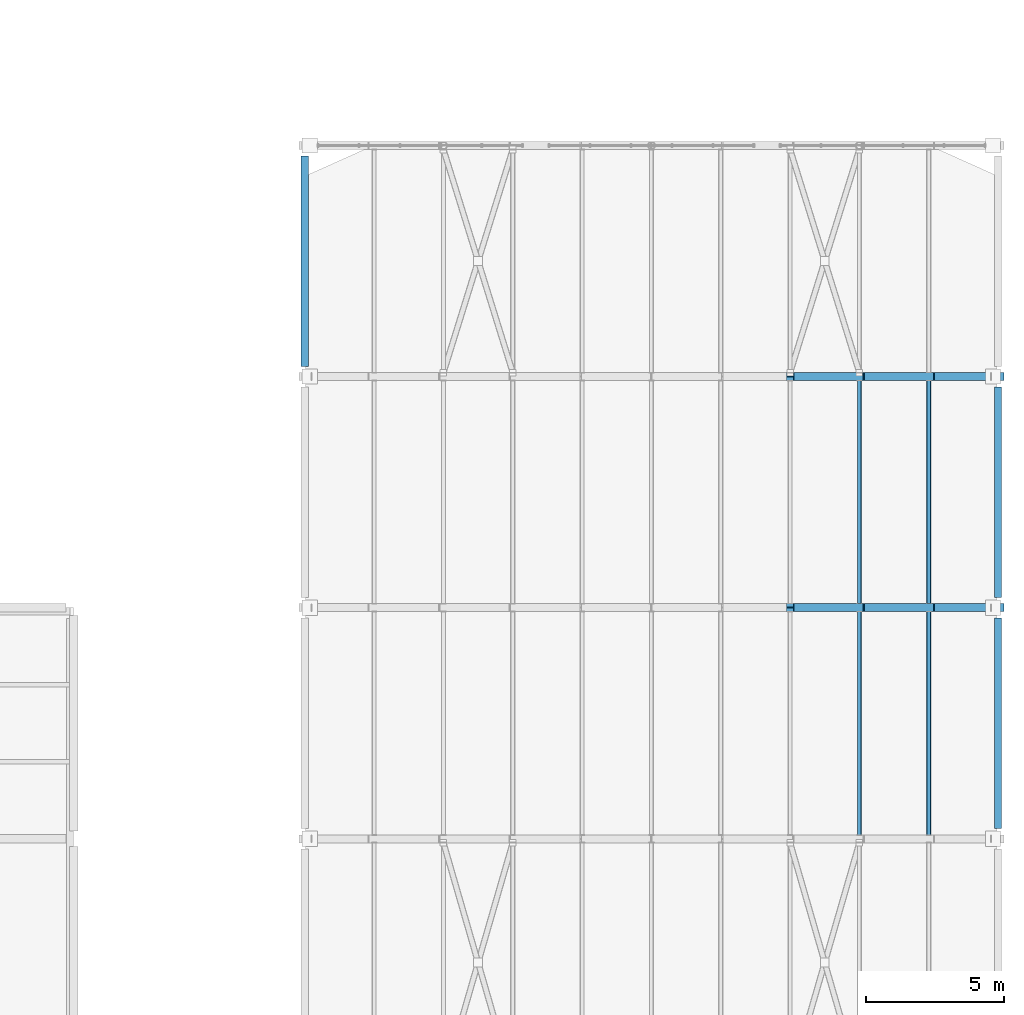
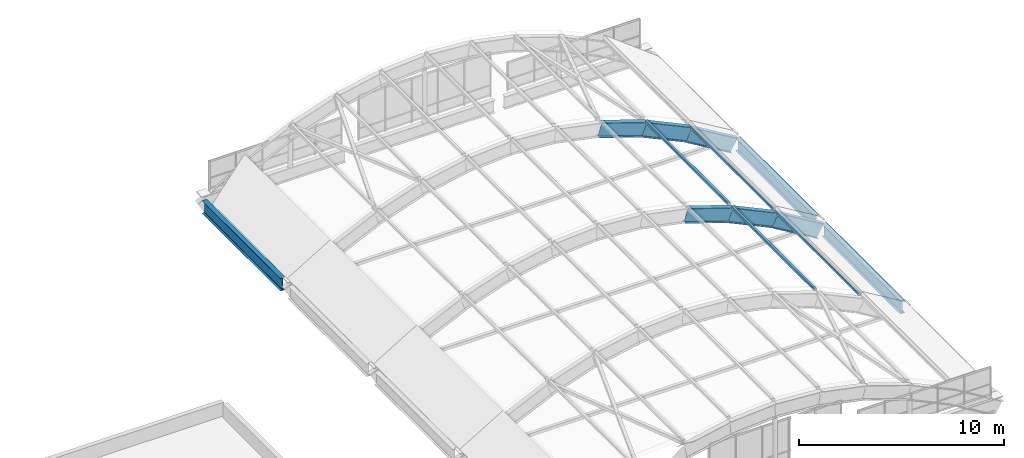
# One storey, part 68 of 107: 9 beams, 4 members.
"""IFC4 building model written with IfcOpenShell, lengths in metres."""

import ifcopenshell
import ifcopenshell.guid

model = None  # the IFC model being written
_history = None  # IfcOwnerHistory: only IFC2X3 demands one
_inside = {}  # id of a spatial element -> (the spatial element, [elements in it])
_under = {}  # id of a project, library or spatial element -> (it, [spatial elements below it])
_declared = {}  # id of a project -> (the project, [libraries it declares])
_typed = {}  # id of a type object -> (the type object, [elements of that type])
_made_of = {}  # id of a material, layer set ... -> (it, [elements and type objects made of it])


def new_model(schema):
    """Start an empty IFC model of exactly this schema.

    Asked for "IFC4X3", IfcOpenShell would pick the latest addendum, in which some entities
    have other attributes; the version numbers below select the first issue.
    IFC2X3 requires an IfcOwnerHistory on every rooted entity: one is made here for all.
    """
    global model, _history
    if schema == "IFC4X3":
        model = ifcopenshell.file(schema_version=(4, 3, 0, 0))
    else:
        model = ifcopenshell.file(schema=schema)
    _inside.clear()
    _under.clear()
    _declared.clear()
    _typed.clear()
    _made_of.clear()
    _history = None
    if model.schema == "IFC2X3":
        org = make("IfcOrganization", Name="unknown")
        user = make(
            "IfcPersonAndOrganization",
            ThePerson=make("IfcPerson", FamilyName="unknown"),
            TheOrganization=org,
        )
        app = make(
            "IfcApplication",
            ApplicationDeveloper=org,
            Version="unknown",
            ApplicationFullName="unknown",
            ApplicationIdentifier="unknown",
        )
        _history = make(
            "IfcOwnerHistory",
            OwningUser=user,
            OwningApplication=app,
            ChangeAction="ADDED",
            CreationDate=0,
        )
    return model


def make(cls, **values):
    """One entity of the class cls with the attributes given. An attribute that is None is left unset."""
    return model.create_entity(
        cls, **{name: value for name, value in values.items() if value is not None}
    )


def rooted(cls, **values):
    """An entity with a GlobalId (a new one), such as an element, a storey or a relation."""
    return make(cls, GlobalId=ifcopenshell.guid.new(), OwnerHistory=_history, **values)


def si_unit(unit_type, name, prefix=None):
    """IfcSIUnit, for example si_unit("LENGTHUNIT", "METRE", prefix="MILLI")."""
    return make("IfcSIUnit", UnitType=unit_type, Prefix=prefix, Name=name)


def assignment(units):
    """IfcUnitAssignment: the units of a project."""
    return None if units is None else make("IfcUnitAssignment", Units=units)


def point(xyz):
    """IfcCartesianPoint."""
    return None if xyz is None else make("IfcCartesianPoint", Coordinates=xyz)


def direction(xyz):
    """IfcDirection."""
    return None if xyz is None else make("IfcDirection", DirectionRatios=xyz)


def frame(location, z_axis=None, x_axis=None):
    """IfcAxis2Placement3D, a coordinate frame: its origin and axes. An axis left out is left unset."""
    return make(
        "IfcAxis2Placement3D",
        Location=point(location),
        Axis=direction(z_axis),
        RefDirection=direction(x_axis),
    )


def frame_2d(location, x_axis=None):
    """IfcAxis2Placement2D, a coordinate frame in the plane: its origin and x axis."""
    return make(
        "IfcAxis2Placement2D", Location=point(location), RefDirection=direction(x_axis)
    )


def origin():
    """The frame at (0, 0, 0) with its axes left unset."""
    return frame((0.0, 0.0, 0.0))


def origin_2d():
    """The frame at (0, 0) in the plane with its x axis left unset."""
    return frame_2d((0.0, 0.0))


def place(relative_to, where):
    """IfcLocalPlacement: puts the frame where relative to a parent placement (None: the world)."""
    return make(
        "IfcLocalPlacement", PlacementRelTo=relative_to, RelativePlacement=where
    )


def context(
    kind, dimensions, precision=None, world=None, true_north=None, identifier=None
):
    """IfcGeometricRepresentationContext, for example the 3D "Model" context."""
    return make(
        "IfcGeometricRepresentationContext",
        ContextIdentifier=identifier,
        ContextType=kind,
        CoordinateSpaceDimension=dimensions,
        Precision=precision,
        WorldCoordinateSystem=world,
        TrueNorth=true_north,
    )


def subcontext(parent, identifier, kind, view, scale=None):
    """IfcGeometricRepresentationSubContext, for example "Body" below "Model"."""
    return make(
        "IfcGeometricRepresentationSubContext",
        ContextIdentifier=identifier,
        ContextType=kind,
        ParentContext=parent,
        TargetScale=scale,
        TargetView=view,
    )


def project(units=None, contexts=None):
    """IfcProject with its units and contexts."""
    return rooted(
        "IfcProject",
        Name="project",
        RepresentationContexts=contexts,
        UnitsInContext=assignment(units),
    )


def spatial(cls, under=None, at=None, **own):
    """A site, building, storey or space (cls), placed at a placement, below another one or the project."""
    s = rooted(cls, ObjectPlacement=at, **own)
    if under is not None:
        _under.setdefault(under.id(), (under, []))[1].append(s)
    return s


def profile(cls, at=None, kind="AREA", **sizes):
    """A parametric profile (cls). Its sizes go by their IFC names, for example OverallWidth=200.0."""
    return make(cls, ProfileType=kind, Position=at, **sizes)


def hollow_rectangle(**sizes):
    """IfcRectangleHollowProfileDef."""
    return profile("IfcRectangleHollowProfileDef", **sizes)


def i_section(**sizes):
    """IfcIShapeProfileDef."""
    return profile("IfcIShapeProfileDef", **sizes)


def extrude(swept, where, along, depth):
    """IfcExtrudedAreaSolid: the profile swept, set in the frame where, extruded along a direction by depth."""
    return make(
        "IfcExtrudedAreaSolid",
        SweptArea=swept,
        Position=where,
        ExtrudedDirection=direction(along),
        Depth=depth,
    )


def shape(context_of_items, identifier, shape_type, items):
    """IfcShapeRepresentation: the items that make up one representation, for example the "Body"."""
    return make(
        "IfcShapeRepresentation",
        ContextOfItems=context_of_items,
        RepresentationIdentifier=identifier,
        RepresentationType=shape_type,
        Items=items,
    )


def material(Name=None, Category=None):
    """IfcMaterial."""
    return make("IfcMaterial", Name=Name, Category=Category)


def material_profile(
    of_material, cross_section, Name=None, Category=None, Priority=None
):
    """IfcMaterialProfile: a cross section and its material."""
    return make(
        "IfcMaterialProfile",
        Name=Name,
        Material=of_material,
        Profile=cross_section,
        Priority=Priority,
        Category=Category,
    )


def profile_set(profiles, Name=None, composite=None):
    """IfcMaterialProfileSet."""
    return make(
        "IfcMaterialProfileSet",
        Name=Name,
        MaterialProfiles=profiles,
        CompositeProfile=composite,
    )


def made_of(thing, what):
    """Note that an element or type object is made of a material, layer set ...; save() writes the relation."""
    if what is not None:
        _made_of.setdefault(what.id(), (what, []))[1].append(thing)
    return thing


def type_object(cls, material=None, **own):
    """A type object (cls), such as IfcWallType, which elements share."""
    return made_of(rooted(cls, **own), material)


def element(
    cls,
    number,
    at=None,
    inside=None,
    cuts=None,
    type_object=None,
    material=None,
    context=None,
    identifier="Body",
    shape_type=None,
    held_by="IfcProductDefinitionShape",
    body=None,
    shapes=None,
    **own,
):
    """One element of the class cls, such as IfcWall. Its Tag is "e" and its number.

    at: its placement. inside: the storey or other place that contains it. cuts: it is an
    opening in that element (IfcRelVoidsElement). A single representation is given by context,
    identifier, shape_type and body (its items); several are given by shapes. held_by: the class
    of the entity that holds the representations. save() writes the other relations.
    """
    e = rooted(cls, Tag="e%d" % number, ObjectPlacement=at, **own)
    if body is not None:
        shapes = [shape(context, identifier, shape_type, body)]
    if shapes is not None:
        e.Representation = make(held_by, Representations=shapes)
    if inside is not None:
        _inside.setdefault(inside.id(), (inside, []))[1].append(e)
    if cuts is not None:
        rooted(
            "IfcRelVoidsElement", RelatingBuildingElement=cuts, RelatedOpeningElement=e
        )
    if type_object is not None:
        _typed.setdefault(type_object.id(), (type_object, []))[1].append(e)
    return made_of(e, material)


def aggregate(whole, parts):
    """IfcRelAggregates: a whole, such as a stair, and the parts it consists of."""
    return rooted("IfcRelAggregates", RelatingObject=whole, RelatedObjects=parts)


def save(model, path):
    """Write the relations noted so far, then the file.

    IfcRelAggregates (storeys below a building ...), IfcRelContainedInSpatialStructure (elements
    in a storey), IfcRelDefinesByType, IfcRelAssociatesMaterial and IfcRelDeclares: one each for
    every whole, place, type object, material and project.
    """
    for whole, parts in _under.values():
        aggregate(whole, parts)
    for where, things in _inside.values():
        rooted(
            "IfcRelContainedInSpatialStructure",
            RelatedElements=things,
            RelatingStructure=where,
        )
    for kind, things in _typed.values():
        rooted("IfcRelDefinesByType", RelatedObjects=things, RelatingType=kind)
    for what, things in _made_of.values():
        rooted("IfcRelAssociatesMaterial", RelatedObjects=things, RelatingMaterial=what)
    for by, libraries in _declared.values():
        rooted("IfcRelDeclares", RelatingContext=by, RelatedDefinitions=libraries)
    model.write(path)


model = new_model("IFC4")

# Units and contexts
model_context = context("Model", 3, precision=1e-05, world=origin(), true_north=direction((0.0, 1.0)))
body_context = subcontext(model_context, "Body", "Model", "MODEL_VIEW")
ifc_project = project(units=[si_unit("LENGTHUNIT", "METRE"), si_unit("AREAUNIT", "SQUARE_METRE"), si_unit("VOLUMEUNIT", "CUBIC_METRE"), si_unit("PLANEANGLEUNIT", "RADIAN"), si_unit("MASSUNIT", "GRAM", prefix="KILO")], contexts=[model_context])

# Site, building, storey
site_placement = place(None, origin())
site = spatial("IfcSite", under=ifc_project, at=site_placement, CompositionType="ELEMENT")
building_placement = place(site_placement, origin())
building = spatial("IfcBuilding", under=site, at=building_placement, Name="Vireocrest Preparatory School", CompositionType="ELEMENT")
storey_placement = place(building_placement, frame((0.0, 0.0, 13.199951171875)))
storey = spatial("IfcBuildingStorey", under=building, at=storey_placement, Name="L03", CompositionType="ELEMENT", Elevation=13.199951171875)

# Beams
ifc_material_1 = material(Name="Structural steel ASTM A992 Grade 50", Category="steel")
ifc_material_profile_1 = material_profile(ifc_material_1, i_section(OverallWidth=0.2919921875, OverallDepth=0.841064453125, WebThickness=0.0146484375, FlangeThickness=0.021728515625, FilletRadius=0.02001953125, at=origin_2d()), Name="W33X130")
ifc_profile_set_1 = profile_set([ifc_material_profile_1], Name="Structural steel ASTM A992 Grade 50")
beam_type_1 = type_object("IfcBeamType", Name="Assembly Hall Barrel Vault Arch Rib W33X130", PredefinedType="BEAM", material=ifc_profile_set_1)
beam_1_placement = place(storey_placement, frame((160.43994140625, 35.39990234375, 2.694580078125), z_axis=(0.947982995349, 0.0, -0.318320970924), x_axis=(0.0, 1.0, 0.0)))
element("IfcBeam", 1, at=beam_1_placement, inside=storey, type_object=beam_type_1, Name="Assembly Hall Barrel Vault Roof Arch Rib 3 Seg 8", PredefinedType="BEAM", context=body_context, shape_type="SweptSolid", body=[
    extrude(i_section(OverallWidth=0.2919921875, OverallDepth=0.841064453125, WebThickness=0.0146484375, FlangeThickness=0.021728515625, FilletRadius=0.02001953125, at=origin_2d()), origin(), (0.0, 0.0, 1.0), 2.658203125),
])
beam_2_placement = place(storey_placement, frame((162.9599609375, 35.39990234375, 1.827880859375), z_axis=(0.905574801812, 0.0, -0.424186607902), x_axis=(0.0, 1.0, 0.0)))
element("IfcBeam", 2, at=beam_2_placement, inside=storey, type_object=beam_type_1, Name="Assembly Hall Barrel Vault Roof Arch Rib 3 Seg 9", PredefinedType="BEAM", context=body_context, shape_type="SweptSolid", body=[
    extrude(i_section(OverallWidth=0.2919921875, OverallDepth=0.841064453125, WebThickness=0.0146484375, FlangeThickness=0.021728515625, FilletRadius=0.02001953125, at=origin_2d()), origin(), (0.0, 0.0, 1.0), 2.78271484375),
])
beam_3_placement = place(storey_placement, frame((165.47998046875, 35.39990234375, 0.62109375), z_axis=(0.858599207137, 0.0, -0.512647443672), x_axis=(0.0, 1.0, 0.0)))
element("IfcBeam", 3, at=beam_3_placement, inside=storey, type_object=beam_type_1, Name="Assembly Hall Barrel Vault Roof Arch Rib 3 Seg 10", PredefinedType="BEAM", context=body_context, shape_type="SweptSolid", body=[
    extrude(i_section(OverallWidth=0.2919921875, OverallDepth=0.841064453125, WebThickness=0.0146484375, FlangeThickness=0.021728515625, FilletRadius=0.02001953125, at=origin_2d()), origin(), (0.0, 0.0, 1.0), 2.93505859375),
])
beam_4_placement = place(storey_placement, frame((160.43994140625, 43.800048828125, 2.694580078125), z_axis=(0.947982995349, 0.0, -0.318320970924), x_axis=(0.0, 1.0, 0.0)))
element("IfcBeam", 4, at=beam_4_placement, inside=storey, type_object=beam_type_1, Name="Assembly Hall Barrel Vault Roof Arch Rib 4 Seg 8", PredefinedType="BEAM", context=body_context, shape_type="SweptSolid", body=[
    extrude(i_section(OverallWidth=0.2919921875, OverallDepth=0.841064453125, WebThickness=0.0146484375, FlangeThickness=0.021728515625, FilletRadius=0.02001953125, at=origin_2d()), origin(), (0.0, 0.0, 1.0), 2.658203125),
])
beam_5_placement = place(storey_placement, frame((162.9599609375, 43.800048828125, 1.827880859375), z_axis=(0.905574801812, 0.0, -0.424186607902), x_axis=(0.0, 1.0, 0.0)))
element("IfcBeam", 5, at=beam_5_placement, inside=storey, type_object=beam_type_1, Name="Assembly Hall Barrel Vault Roof Arch Rib 4 Seg 9", PredefinedType="BEAM", context=body_context, shape_type="SweptSolid", body=[
    extrude(i_section(OverallWidth=0.2919921875, OverallDepth=0.841064453125, WebThickness=0.0146484375, FlangeThickness=0.021728515625, FilletRadius=0.02001953125, at=origin_2d()), origin(), (0.0, 0.0, 1.0), 2.78271484375),
])
beam_6_placement = place(storey_placement, frame((165.47998046875, 43.800048828125, 0.62109375), z_axis=(0.858599207137, 0.0, -0.512647443672), x_axis=(0.0, 1.0, 0.0)))
element("IfcBeam", 6, at=beam_6_placement, inside=storey, type_object=beam_type_1, Name="Assembly Hall Barrel Vault Roof Arch Rib 4 Seg 10", PredefinedType="BEAM", context=body_context, shape_type="SweptSolid", body=[
    extrude(i_section(OverallWidth=0.2919921875, OverallDepth=0.841064453125, WebThickness=0.0146484375, FlangeThickness=0.021728515625, FilletRadius=0.02001953125, at=origin_2d()), origin(), (0.0, 0.0, 1.0), 2.93505859375),
])
ifc_material_profile_2 = material_profile(ifc_material_1, i_section(OverallWidth=0.264892578125, OverallDepth=0.7529296875, WebThickness=0.01318359375, FlangeThickness=0.01708984375, FilletRadius=0.01904296875, at=origin_2d()), Name="W30X99")
ifc_profile_set_2 = profile_set([ifc_material_profile_2], Name="Structural steel ASTM A992 Grade 50")
beam_type_2 = type_object("IfcBeamType", Name="Assembly Hall Vault Ring Beam W30X99", PredefinedType="BEAM", material=ifc_profile_set_2)
beam_7_placement = place(storey_placement, frame((168.0, 27.375, -0.596435546875), z_axis=(0.0, 1.0, 0.0), x_axis=(-1.0, 0.0, 0.0)))
element("IfcBeam", 7, at=beam_7_placement, inside=storey, type_object=beam_type_2, Name="Assembly Hall Barrel Vault Roof Ring Beam E 27.0-35.4", PredefinedType="BEAM", context=body_context, shape_type="SweptSolid", body=[
    extrude(i_section(OverallWidth=0.264892578125, OverallDepth=0.7529296875, WebThickness=0.01318359375, FlangeThickness=0.01708984375, FilletRadius=0.01904296875, at=origin_2d()), origin(), (0.0, 0.0, 1.0), 7.64990234375),
])
beam_8_placement = place(storey_placement, frame((168.0, 35.77490234375, -0.596435546875), z_axis=(0.0, 1.0, 0.0), x_axis=(-1.0, 0.0, 0.0)))
element("IfcBeam", 8, at=beam_8_placement, inside=storey, type_object=beam_type_2, Name="Assembly Hall Barrel Vault Roof Ring Beam E 35.4-43.8", PredefinedType="BEAM", context=body_context, shape_type="SweptSolid", body=[
    extrude(i_section(OverallWidth=0.264892578125, OverallDepth=0.7529296875, WebThickness=0.01318359375, FlangeThickness=0.01708984375, FilletRadius=0.01904296875, at=origin_2d()), origin(), (0.0, 0.0, 1.0), 7.650146484375),
])
beam_9_placement = place(storey_placement, frame((142.800048828125, 44.175048828125, -0.596435546875), z_axis=(0.0, 1.0, 0.0), x_axis=(-1.0, 0.0, 0.0)))
element("IfcBeam", 9, at=beam_9_placement, inside=storey, type_object=beam_type_2, Name="Assembly Hall Barrel Vault Roof Ring Beam W 43.8-52.2", PredefinedType="BEAM", context=body_context, shape_type="SweptSolid", body=[
    extrude(i_section(OverallWidth=0.264892578125, OverallDepth=0.7529296875, WebThickness=0.01318359375, FlangeThickness=0.01708984375, FilletRadius=0.01904296875, at=origin_2d()), origin(), (0.0, 0.0, 1.0), 7.64990234375),
])

# Members
ifc_material_2 = material(Name="Structural steel ASTM A500 Grade C", Category="steel")
ifc_material_profile_3 = material_profile(ifc_material_2, hollow_rectangle(XDim=0.15234375, YDim=0.15234375, WallThickness=0.0087890625, InnerFilletRadius=0.0087890625, OuterFilletRadius=0.017822265625, at=origin_2d()), Name="HSS6X6X3/8")
ifc_profile_set_3 = profile_set([ifc_material_profile_3], Name="Structural steel ASTM A500 Grade C")
member_type = type_object("IfcMemberType", Name="Barrel Vault Steel Purlin HSS6X6X3/8", PredefinedType="PURLIN", material=ifc_profile_set_3)
for number, where, z_axis, x_axis, name in (
    (10, (162.9599609375, 27.14111328125, 2.355712890625), (0.0, 1.0, 0.0), (-1.0, 0.0, 0.0), "Assembly Hall Barrel Vault Roof Purlin 2-9"),
    (11, (165.47998046875, 27.14111328125, 1.175048828125), (0.0, 1.0, 0.0), (-1.0, 0.0, 0.0), "Assembly Hall Barrel Vault Roof Purlin 2-10"),
    (12, (162.9599609375, 35.541015625, 2.355712890625), (0.0, 1.0, 0.0), (-1.0, 0.0, 0.0), "Assembly Hall Barrel Vault Roof Purlin 3-9"),
    (13, (165.47998046875, 35.541015625, 1.175048828125), (0.0, 1.0, 0.0), (-1.0, 0.0, 0.0), "Assembly Hall Barrel Vault Roof Purlin 3-10"),
):
    element("IfcMember", number, at=place(storey_placement, frame(where, z_axis=z_axis, x_axis=x_axis)), inside=storey, type_object=member_type, Name=name, PredefinedType="PURLIN", context=body_context, shape_type="SweptSolid", body=[
        extrude(hollow_rectangle(XDim=0.15234375, YDim=0.15234375, WallThickness=0.0087890625, InnerFilletRadius=0.0087890625, OuterFilletRadius=0.017822265625, at=origin_2d()), origin(), (0.0, 0.0, 1.0), 8.117919921875),
    ])

save(model, "model.ifc")
